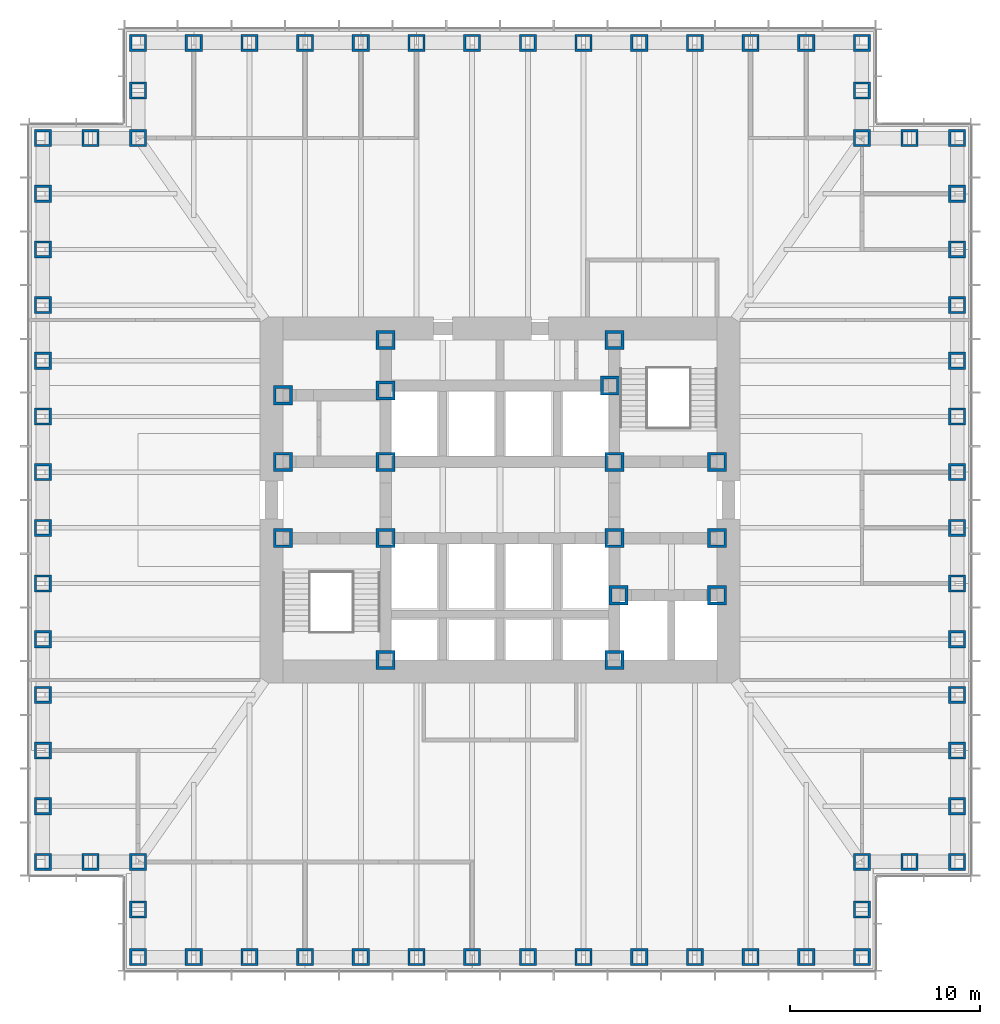
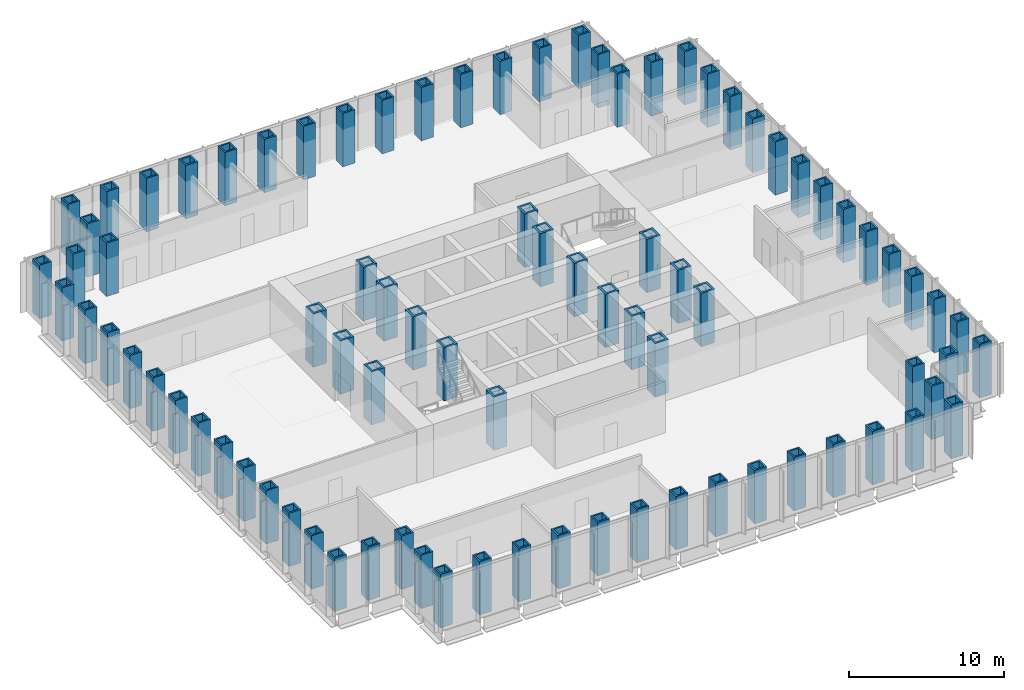
# One storey, part 1 of 17: 85 columns.
"""IFC4 building model written with IfcOpenShell, lengths in metres."""

from ifc_helpers import new_model, si_unit, direction, frame, origin, origin_2d, place, context, subcontext, project, spatial, hollow_rectangle, extrude, material, material_profile, profile_set, type_object, element, save


model = new_model("IFC4")

# Units and contexts
model_context = context("Model", 3, precision=1e-05, world=origin(), true_north=direction((0.0, 1.0)))
body_context = subcontext(model_context, "Body", "Model", "MODEL_VIEW")
ifc_project = project(units=[si_unit("LENGTHUNIT", "METRE"), si_unit("AREAUNIT", "SQUARE_METRE"), si_unit("VOLUMEUNIT", "CUBIC_METRE"), si_unit("PLANEANGLEUNIT", "RADIAN"), si_unit("MASSUNIT", "GRAM", prefix="KILO")], contexts=[model_context])

# Site, building, storey
site_placement = place(None, origin())
site = spatial("IfcSite", under=ifc_project, at=site_placement, CompositionType="ELEMENT")
building_placement = place(site_placement, origin())
building = spatial("IfcBuilding", under=site, at=building_placement, Name="Daluyong Arena Tower", CompositionType="ELEMENT")
storey_placement = place(building_placement, frame((0.0, 0.0, 60.10009765625)))
storey = spatial("IfcBuildingStorey", under=building, at=storey_placement, Name="L12", CompositionType="ELEMENT", Elevation=60.10009765625)

# Columns
ifc_material_1 = material(Name="Steel ASTM A588 Grade 50", Category="steel")
ifc_material_profile_1 = material_profile(ifc_material_1, hollow_rectangle(XDim=1.0, YDim=1.0, WallThickness=0.15, at=origin_2d()))
ifc_profile_set_1 = profile_set([ifc_material_profile_1], Name="Steel ASTM A588 Grade 50")
column_type_1 = type_object("IfcColumnType", Name="Core boundary column BX1000X150", PredefinedType="COLUMN", material=ifc_profile_set_1)
for number, where, z_axis, x_axis, name in (
    (1, (44.60009765625, 78.0, 0.0), (0.0, 0.0, 1.0), (1.0, 0.0, 0.0), "core boundary column BC1"),
    (2, (44.60009765625, 82.0, 0.0), (0.0, 0.0, 1.0), (1.0, 0.0, 0.0), "core boundary column BC1"),
    (3, (44.60009765625, 85.5, 0.0), (0.0, 0.0, 1.0), (1.0, 0.0, 0.0), "core boundary column BC1"),
    (4, (50.0, 71.60009765625, 0.0), (0.0, 0.0, 1.0), (1.0, 0.0, 0.0), "core boundary column BC1"),
    (5, (50.0, 78.0, 0.0), (0.0, 0.0, 1.0), (1.0, 0.0, 0.0), "core boundary column BC1"),
    (6, (50.0, 82.0, 0.0), (0.0, 0.0, 1.0), (1.0, 0.0, 0.0), "core boundary column BC1"),
    (7, (50.0, 85.75, 0.0), (0.0, 0.0, 1.0), (1.0, 0.0, 0.0), "core boundary column BC1"),
    (8, (50.0, 88.39990234375, 0.0), (0.0, 0.0, 1.0), (1.0, 0.0, 0.0), "core boundary column BC1"),
    (9, (61.77490234375, 86.0, 0.0), (0.0, 0.0, 1.0), (1.0, 0.0, 0.0), "core boundary column BC1"),
    (10, (62.0, 71.60009765625, 0.0), (0.0, 0.0, 1.0), (1.0, 0.0, 0.0), "core boundary column BC1"),
    (11, (62.0, 78.0, 0.0), (0.0, 0.0, 1.0), (1.0, 0.0, 0.0), "core boundary column BC1"),
    (12, (62.0, 82.0, 0.0), (0.0, 0.0, 1.0), (1.0, 0.0, 0.0), "core boundary column BC1"),
    (13, (62.0, 88.39990234375, 0.0), (0.0, 0.0, 1.0), (1.0, 0.0, 0.0), "core boundary column BC1"),
    (14, (62.22509765625, 75.0, 0.0), (0.0, 0.0, 1.0), (1.0, 0.0, 0.0), "core boundary column BC1"),
    (15, (67.39990234375, 75.0, 0.0), (0.0, 0.0, 1.0), (1.0, 0.0, 0.0), "core boundary column BC1"),
    (16, (67.39990234375, 78.0, 0.0), (0.0, 0.0, 1.0), (1.0, 0.0, 0.0), "core boundary column BC1"),
    (17, (67.39990234375, 82.0, 0.0), (0.0, 0.0, 1.0), (1.0, 0.0, 0.0), "core boundary column BC1"),
):
    element("IfcColumn", number, at=place(storey_placement, frame(where, z_axis=z_axis, x_axis=x_axis)), inside=storey, type_object=column_type_1, Name=name, PredefinedType="COLUMN", context=body_context, shape_type="SweptSolid", body=[
        extrude(hollow_rectangle(XDim=1.0, YDim=1.0, WallThickness=0.15, at=origin_2d()), origin(), (0.0, 0.0, 1.0), 4.199951171875),
    ])
ifc_material_2 = material(Name="Steel ASTM A588 Grade 50", Category="steel")
ifc_material_profile_2 = material_profile(ifc_material_2, hollow_rectangle(XDim=0.89990234375, YDim=0.89990234375, WallThickness=0.12, at=origin_2d()))
ifc_profile_set_2 = profile_set([ifc_material_profile_2], Name="Steel ASTM A588 Grade 50")
column_type_2 = type_object("IfcColumnType", Name="Tube column BX900X120 BX900X120", PredefinedType="COLUMN", material=ifc_profile_set_2)
for number, where, z_axis, x_axis, name in (
    (18, (37.0, 56.0, 0.0), (0.0, 0.0, 1.0), (1.0, 0.0, 0.0), "tube column bx900x120 TC4"),
    (19, (39.923095703125, 56.0, 0.0), (0.0, 0.0, 1.0), (1.0, 0.0, 0.0), "tube column bx900x120 TC4"),
    (20, (42.84619140625, 56.0, 0.0), (0.0, 0.0, 1.0), (1.0, 0.0, 0.0), "tube column bx900x120 TC4"),
    (21, (45.769287109375, 56.0, 0.0), (0.0, 0.0, 1.0), (1.0, 0.0, 0.0), "tube column bx900x120 TC4"),
    (22, (48.6923828125, 56.0, 0.0), (0.0, 0.0, 1.0), (1.0, 0.0, 0.0), "tube column bx900x120 TC4"),
    (23, (51.615478515625, 56.0, 0.0), (0.0, 0.0, 1.0), (1.0, 0.0, 0.0), "tube column bx900x120 TC4"),
    (24, (54.53857421875, 56.0, 0.0), (0.0, 0.0, 1.0), (1.0, 0.0, 0.0), "tube column bx900x120 TC4"),
    (25, (57.46142578125, 56.0, 0.0), (0.0, 0.0, 1.0), (1.0, 0.0, 0.0), "tube column bx900x120 TC4"),
    (26, (60.384521484375, 56.0, 0.0), (0.0, 0.0, 1.0), (1.0, 0.0, 0.0), "tube column bx900x120 TC4"),
    (27, (63.3076171875, 56.0, 0.0), (0.0, 0.0, 1.0), (1.0, 0.0, 0.0), "tube column bx900x120 TC4"),
    (28, (66.230712890625, 56.0, 0.0), (0.0, 0.0, 1.0), (1.0, 0.0, 0.0), "tube column bx900x120 TC4"),
    (29, (69.15380859375, 56.0, 0.0), (0.0, 0.0, 1.0), (1.0, 0.0, 0.0), "tube column bx900x120 TC4"),
    (30, (72.076904296875, 56.0, 0.0), (0.0, 0.0, 1.0), (1.0, 0.0, 0.0), "tube column bx900x120 TC4"),
    (31, (75.0, 56.0, 0.0), (0.0, 0.0, 1.0), (0.0, 1.0, 0.0), "tube column bx900x120 TC4"),
    (32, (75.0, 58.5, 0.0), (0.0, 0.0, 1.0), (0.0, 1.0, 0.0), "tube column bx900x120 TC4"),
    (33, (75.0, 61.0, 0.0), (0.0, 0.0, 1.0), (1.0, 0.0, 0.0), "tube column bx900x120 TC4"),
    (34, (77.5, 61.0, 0.0), (0.0, 0.0, 1.0), (1.0, 0.0, 0.0), "tube column bx900x120 TC4"),
    (35, (80.0, 61.0, 0.0), (0.0, 0.0, 1.0), (0.0, 1.0, 0.0), "tube column bx900x120 TC4"),
    (36, (80.0, 63.923095703125, 0.0), (0.0, 0.0, 1.0), (0.0, 1.0, 0.0), "tube column bx900x120 TC4"),
    (37, (80.0, 66.84619140625, 0.0), (0.0, 0.0, 1.0), (0.0, 1.0, 0.0), "tube column bx900x120 TC4"),
    (38, (80.0, 69.769287109375, 0.0), (0.0, 0.0, 1.0), (0.0, 1.0, 0.0), "tube column bx900x120 TC4"),
    (39, (80.0, 72.6923828125, 0.0), (0.0, 0.0, 1.0), (0.0, 1.0, 0.0), "tube column bx900x120 TC4"),
    (40, (80.0, 75.615478515625, 0.0), (0.0, 0.0, 1.0), (0.0, 1.0, 0.0), "tube column bx900x120 TC4"),
    (41, (80.0, 78.53857421875, 0.0), (0.0, 0.0, 1.0), (0.0, 1.0, 0.0), "tube column bx900x120 TC4"),
    (42, (80.0, 81.46142578125, 0.0), (0.0, 0.0, 1.0), (0.0, 1.0, 0.0), "tube column bx900x120 TC4"),
    (43, (80.0, 84.384521484375, 0.0), (0.0, 0.0, 1.0), (0.0, 1.0, 0.0), "tube column bx900x120 TC4"),
    (44, (80.0, 87.3076171875, 0.0), (0.0, 0.0, 1.0), (0.0, 1.0, 0.0), "tube column bx900x120 TC4"),
    (45, (80.0, 90.230712890625, 0.0), (0.0, 0.0, 1.0), (0.0, 1.0, 0.0), "tube column bx900x120 TC4"),
    (46, (80.0, 93.15380859375, 0.0), (0.0, 0.0, 1.0), (0.0, 1.0, 0.0), "tube column bx900x120 TC4"),
    (47, (80.0, 96.076904296875, 0.0), (0.0, 0.0, 1.0), (0.0, 1.0, 0.0), "tube column bx900x120 TC4"),
    (48, (80.0, 99.0, 0.0), (0.0, 0.0, 1.0), (1.0, 0.0, 0.0), "tube column bx900x120 TC4"),
    (49, (77.5, 99.0, 0.0), (0.0, 0.0, 1.0), (1.0, 0.0, 0.0), "tube column bx900x120 TC4"),
    (50, (75.0, 99.0, 0.0), (0.0, 0.0, 1.0), (0.0, 1.0, 0.0), "tube column bx900x120 TC4"),
    (51, (75.0, 101.5, 0.0), (0.0, 0.0, 1.0), (0.0, 1.0, 0.0), "tube column bx900x120 TC4"),
    (52, (75.0, 104.0, 0.0), (0.0, 0.0, 1.0), (1.0, 0.0, 0.0), "tube column bx900x120 TC4"),
    (53, (72.076904296875, 104.0, 0.0), (0.0, 0.0, 1.0), (1.0, 0.0, 0.0), "tube column bx900x120 TC4"),
    (54, (69.15380859375, 104.0, 0.0), (0.0, 0.0, 1.0), (1.0, 0.0, 0.0), "tube column bx900x120 TC4"),
    (55, (66.230712890625, 104.0, 0.0), (0.0, 0.0, 1.0), (1.0, 0.0, 0.0), "tube column bx900x120 TC4"),
    (56, (63.3076171875, 104.0, 0.0), (0.0, 0.0, 1.0), (1.0, 0.0, 0.0), "tube column bx900x120 TC4"),
    (57, (60.384521484375, 104.0, 0.0), (0.0, 0.0, 1.0), (1.0, 0.0, 0.0), "tube column bx900x120 TC4"),
    (58, (57.46142578125, 104.0, 0.0), (0.0, 0.0, 1.0), (1.0, 0.0, 0.0), "tube column bx900x120 TC4"),
    (59, (54.53857421875, 104.0, 0.0), (0.0, 0.0, 1.0), (1.0, 0.0, 0.0), "tube column bx900x120 TC4"),
    (60, (51.615478515625, 104.0, 0.0), (0.0, 0.0, 1.0), (1.0, 0.0, 0.0), "tube column bx900x120 TC4"),
    (61, (48.6923828125, 104.0, 0.0), (0.0, 0.0, 1.0), (1.0, 0.0, 0.0), "tube column bx900x120 TC4"),
    (62, (45.769287109375, 104.0, 0.0), (0.0, 0.0, 1.0), (1.0, 0.0, 0.0), "tube column bx900x120 TC4"),
    (63, (42.84619140625, 104.0, 0.0), (0.0, 0.0, 1.0), (1.0, 0.0, 0.0), "tube column bx900x120 TC4"),
    (64, (39.923095703125, 104.0, 0.0), (0.0, 0.0, 1.0), (1.0, 0.0, 0.0), "tube column bx900x120 TC4"),
    (65, (37.0, 104.0, 0.0), (0.0, 0.0, 1.0), (0.0, 1.0, 0.0), "tube column bx900x120 TC4"),
    (66, (37.0, 101.5, 0.0), (0.0, 0.0, 1.0), (0.0, 1.0, 0.0), "tube column bx900x120 TC4"),
    (67, (37.0, 99.0, 0.0), (0.0, 0.0, 1.0), (1.0, 0.0, 0.0), "tube column bx900x120 TC4"),
    (68, (34.5, 99.0, 0.0), (0.0, 0.0, 1.0), (1.0, 0.0, 0.0), "tube column bx900x120 TC4"),
    (69, (32.0, 99.0, 0.0), (0.0, 0.0, 1.0), (0.0, 1.0, 0.0), "tube column bx900x120 TC4"),
    (70, (32.0, 96.076904296875, 0.0), (0.0, 0.0, 1.0), (0.0, 1.0, 0.0), "tube column bx900x120 TC4"),
    (71, (32.0, 93.15380859375, 0.0), (0.0, 0.0, 1.0), (0.0, 1.0, 0.0), "tube column bx900x120 TC4"),
    (72, (32.0, 90.230712890625, 0.0), (0.0, 0.0, 1.0), (0.0, 1.0, 0.0), "tube column bx900x120 TC4"),
    (73, (32.0, 87.3076171875, 0.0), (0.0, 0.0, 1.0), (0.0, 1.0, 0.0), "tube column bx900x120 TC4"),
    (74, (32.0, 84.384521484375, 0.0), (0.0, 0.0, 1.0), (0.0, 1.0, 0.0), "tube column bx900x120 TC4"),
    (75, (32.0, 81.46142578125, 0.0), (0.0, 0.0, 1.0), (0.0, 1.0, 0.0), "tube column bx900x120 TC4"),
    (76, (32.0, 78.53857421875, 0.0), (0.0, 0.0, 1.0), (0.0, 1.0, 0.0), "tube column bx900x120 TC4"),
    (77, (32.0, 75.615478515625, 0.0), (0.0, 0.0, 1.0), (0.0, 1.0, 0.0), "tube column bx900x120 TC4"),
    (78, (32.0, 72.6923828125, 0.0), (0.0, 0.0, 1.0), (0.0, 1.0, 0.0), "tube column bx900x120 TC4"),
    (79, (32.0, 69.769287109375, 0.0), (0.0, 0.0, 1.0), (0.0, 1.0, 0.0), "tube column bx900x120 TC4"),
    (80, (32.0, 66.84619140625, 0.0), (0.0, 0.0, 1.0), (0.0, 1.0, 0.0), "tube column bx900x120 TC4"),
    (81, (32.0, 63.923095703125, 0.0), (0.0, 0.0, 1.0), (0.0, 1.0, 0.0), "tube column bx900x120 TC4"),
    (82, (32.0, 61.0, 0.0), (0.0, 0.0, 1.0), (1.0, 0.0, 0.0), "tube column bx900x120 TC4"),
    (83, (34.5, 61.0, 0.0), (0.0, 0.0, 1.0), (1.0, 0.0, 0.0), "tube column bx900x120 TC4"),
    (84, (37.0, 61.0, 0.0), (0.0, 0.0, 1.0), (0.0, 1.0, 0.0), "tube column bx900x120 TC4"),
    (85, (37.0, 58.5, 0.0), (0.0, 0.0, 1.0), (0.0, 1.0, 0.0), "tube column bx900x120 TC4"),
):
    element("IfcColumn", number, at=place(storey_placement, frame(where, z_axis=z_axis, x_axis=x_axis)), inside=storey, type_object=column_type_2, Name=name, PredefinedType="COLUMN", context=body_context, shape_type="SweptSolid", body=[
        extrude(hollow_rectangle(XDim=0.89990234375, YDim=0.89990234375, WallThickness=0.12, at=origin_2d()), origin(), (0.0, 0.0, 1.0), 4.199951171875),
    ])

save(model, "model.ifc")
